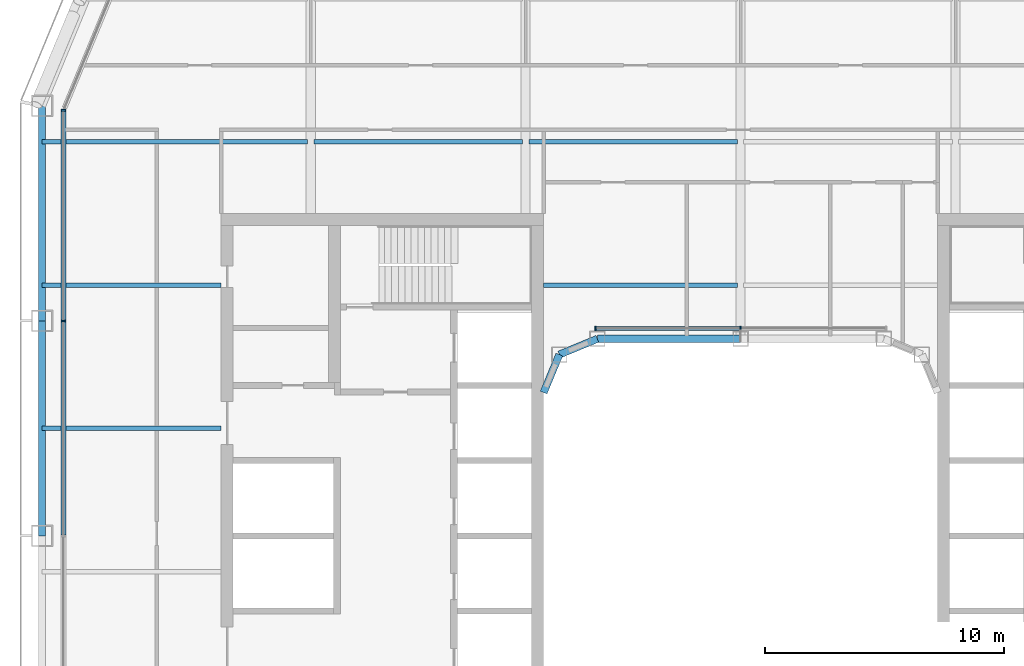
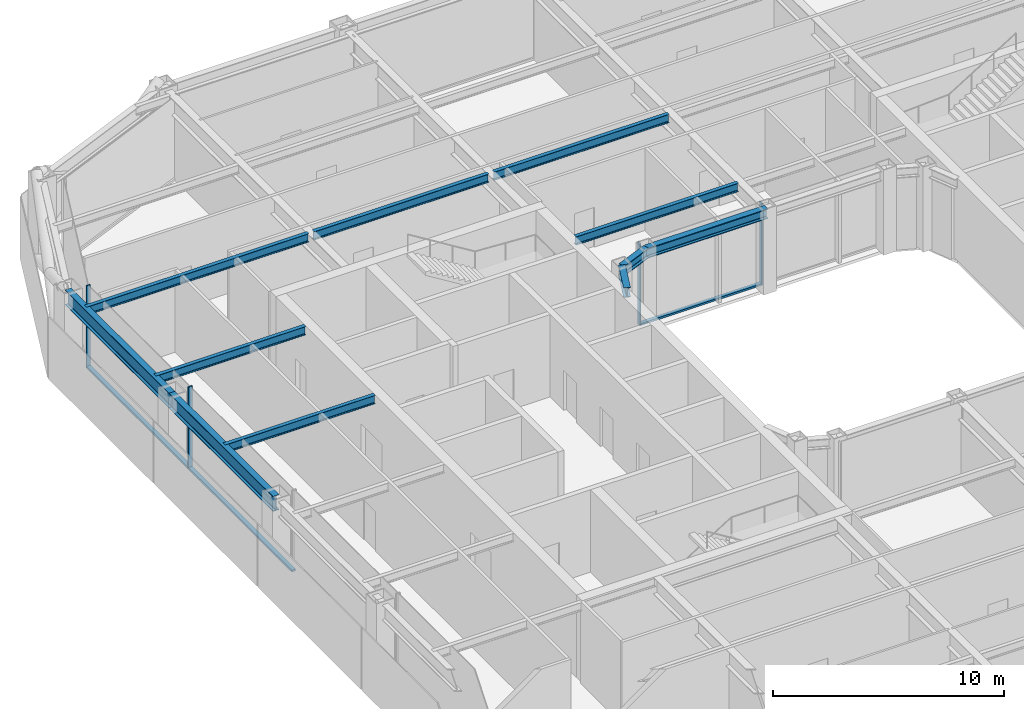
# One storey, part 6 of 23: 11 beams, 7 members, 2 elements without a shape of their own.
"""IFC4 building model written with IfcOpenShell, lengths in metres."""

from ifc_helpers import new_model, si_unit, direction, frame, origin, origin_2d, place, context, subcontext, project, spatial, rectangle, i_section, extrude, material, layer, layer_set, material_profile, profile_set, type_object, element, aggregate, save


model = new_model("IFC4")

# Units and contexts
model_context = context("Model", 3, precision=1e-05, world=origin(), true_north=direction((0.0, 1.0)))
body_context = subcontext(model_context, "Body", "Model", "MODEL_VIEW")
ifc_project = project(units=[si_unit("LENGTHUNIT", "METRE"), si_unit("AREAUNIT", "SQUARE_METRE"), si_unit("VOLUMEUNIT", "CUBIC_METRE"), si_unit("PLANEANGLEUNIT", "RADIAN"), si_unit("MASSUNIT", "GRAM", prefix="KILO")], contexts=[model_context])

# Site, building, storey
site_placement = place(None, origin())
site = spatial("IfcSite", under=ifc_project, at=site_placement, CompositionType="ELEMENT")
building_placement = place(site_placement, origin())
building = spatial("IfcBuilding", under=site, at=building_placement, Name="Siwar Civic Tower", CompositionType="ELEMENT")
storey_placement = place(building_placement, frame((0.0, 0.0, 145.199951171875)))
storey = spatial("IfcBuildingStorey", under=building, at=storey_placement, Name="L31", CompositionType="ELEMENT", Elevation=145.199951171875)

# Curtain wall, members
ifc_material_1 = material(Name="Aluminium and glass", Category="aluminium")
ifc_layer_1 = layer(ifc_material_1, 0.199951171875)
ifc_layer_set_1 = layer_set([ifc_layer_1], Name="Aluminium and glass")
curtain_wall_type_1 = type_object("IfcCurtainWallType", Name="ENV-CW-B", PredefinedType="NOTDEFINED", material=ifc_layer_set_1)
curtain_wall_1_placement = place(storey_placement, origin())
curtain_wall_1 = element("IfcCurtainWall", 1, at=curtain_wall_1_placement, inside=storey, type_object=curtain_wall_type_1, Name="Curtain wall B W", PredefinedType="NOTDEFINED")
ifc_material_2 = material(Name="Aluminium 6063-T6", Category="aluminium")
ifc_material_profile_1 = material_profile(ifc_material_2, rectangle(XDim=0.199951171875, YDim=0.06494140625, at=origin_2d()), Name="AL 200x65")
ifc_profile_set_1 = profile_set([ifc_material_profile_1], Name="Aluminium 6063-T6")
member_type_1 = type_object("IfcMemberType", Name="ENV-MULLION-B", PredefinedType="MULLION", material=ifc_profile_set_1)
member_1_placement = place(storey_placement, frame((-28.35009765625, 17.821044921875, 0.0), z_axis=(0.0, 0.0, 1.0), x_axis=(1.0, 0.0, 0.0)))
member_1 = element("IfcMember", 2, at=member_1_placement, type_object=member_type_1, Name="Mullion B W 1", PredefinedType="MULLION", context=body_context, shape_type="SweptSolid", body=[
    extrude(rectangle(XDim=0.199951171875, YDim=0.06494140625, at=origin_2d()), origin(), (0.0, 0.0, 1.0), 4.35009765625),
])
member_2_placement = place(storey_placement, frame((-28.35009765625, 9.0, 0.0), z_axis=(0.0, 0.0, 1.0), x_axis=(1.0, 0.0, 0.0)))
member_2 = element("IfcMember", 3, at=member_2_placement, type_object=member_type_1, Name="Mullion B W 2", PredefinedType="MULLION", context=body_context, shape_type="SweptSolid", body=[
    extrude(rectangle(XDim=0.199951171875, YDim=0.06494140625, at=origin_2d()), origin(), (0.0, 0.0, 1.0), 4.35009765625),
])

ifc_material_3 = material(Name="Aluminium and glass", Category="aluminium")
ifc_layer_2 = layer(ifc_material_3, 0.179931640625)
ifc_layer_set_2 = layer_set([ifc_layer_2], Name="Aluminium and glass")
curtain_wall_type_2 = type_object("IfcCurtainWallType", Name="ENV-CW-W", PredefinedType="NOTDEFINED", material=ifc_layer_set_2)
curtain_wall_2_placement = place(storey_placement, origin())
curtain_wall_2 = element("IfcCurtainWall", 4, at=curtain_wall_2_placement, inside=storey, type_object=curtain_wall_type_2, Name="Curtain wall W WN", PredefinedType="NOTDEFINED")
ifc_material_4 = material(Name="Aluminium 6063-T6", Category="aluminium")
ifc_material_profile_2 = material_profile(ifc_material_4, rectangle(XDim=0.179931640625, YDim=0.06005859375, at=origin_2d()), Name="AL 180x60")
ifc_profile_set_2 = profile_set([ifc_material_profile_2], Name="Aluminium 6063-T6")
member_type_2 = type_object("IfcMemberType", Name="ENV-MULLION-W", PredefinedType="MULLION", material=ifc_profile_set_2)
member_3_placement = place(storey_placement, frame((0.0, 8.68505859375, 0.0), z_axis=(0.0, 0.0, 1.0), x_axis=(0.0, -1.0, 0.0)))
member_3 = element("IfcMember", 5, at=member_3_placement, type_object=member_type_2, Name="Mullion W WN 2", PredefinedType="MULLION", context=body_context, shape_type="SweptSolid", body=[
    extrude(rectangle(XDim=0.179931640625, YDim=0.06005859375, at=origin_2d()), origin(), (0.0, 0.0, 1.0), 4.35009765625),
])
member_4_placement = place(storey_placement, frame((-6.08642578125, 8.68505859375, 0.0), z_axis=(0.0, 0.0, 1.0), x_axis=(0.0, -1.0, 0.0)))
member_4 = element("IfcMember", 6, at=member_4_placement, type_object=member_type_2, Name="Mullion W WN 3", PredefinedType="MULLION", context=body_context, shape_type="SweptSolid", body=[
    extrude(rectangle(XDim=0.179931640625, YDim=0.06005859375, at=origin_2d()), origin(), (0.0, 0.0, 1.0), 4.35009765625),
])

# Member
ifc_material_5 = material(Name="Aluminium 6063-T6", Category="aluminium")
ifc_material_profile_3 = material_profile(ifc_material_5, rectangle(XDim=0.199951171875, YDim=0.110107421875, at=origin_2d()), Name="AL 200x110")
ifc_profile_set_3 = profile_set([ifc_material_profile_3], Name="Aluminium 6063-T6")
member_type_3 = type_object("IfcMemberType", Name="ENV-TRANSOM-B", PredefinedType="USERDEFINED", material=ifc_profile_set_3)
member_5_placement = place(storey_placement, frame((-28.35009765625, 17.78857421875, 0.054931640625), z_axis=(0.0, -1.0, 0.0), x_axis=(1.0, 0.0, 0.0)))
member_5 = element("IfcMember", 7, at=member_5_placement, type_object=member_type_3, Name="Transom B W 1", ObjectType="TRANSOM", PredefinedType="USERDEFINED", context=body_context, shape_type="SweptSolid", body=[
    extrude(rectangle(XDim=0.199951171875, YDim=0.110107421875, at=origin_2d()), origin(), (0.0, 0.0, 1.0), 8.756103515625),
])

member_6_placement = place(storey_placement, frame((-28.35009765625, 8.967529296875, 0.054931640625), z_axis=(0.0, -1.0, 0.0), x_axis=(1.0, 0.0, 0.0)))
member_6 = element("IfcMember", 8, at=member_6_placement, type_object=member_type_3, Name="Transom B W 2", ObjectType="TRANSOM", PredefinedType="USERDEFINED", context=body_context, shape_type="SweptSolid", body=[
    extrude(rectangle(XDim=0.199951171875, YDim=0.110107421875, at=origin_2d()), origin(), (0.0, 0.0, 1.0), 8.93505859375),
])

aggregate(curtain_wall_1, [member_1, member_2, member_5, member_6])

ifc_material_6 = material(Name="Aluminium 6063-T6", Category="aluminium")
ifc_material_profile_4 = material_profile(ifc_material_6, rectangle(XDim=0.179931640625, YDim=0.10009765625, at=origin_2d()), Name="AL 180x100")
ifc_profile_set_4 = profile_set([ifc_material_profile_4], Name="Aluminium 6063-T6")
member_type_4 = type_object("IfcMemberType", Name="ENV-TRANSOM-W", PredefinedType="USERDEFINED", material=ifc_profile_set_4)
member_7_placement = place(storey_placement, frame((-0.030029296875, 8.68505859375, 0.050048828125), z_axis=(-1.0, 0.0, 0.0), x_axis=(0.0, -1.0, 0.0)))
member_7 = element("IfcMember", 9, at=member_7_placement, type_object=member_type_4, Name="Transom W WN 2", ObjectType="TRANSOM", PredefinedType="USERDEFINED", context=body_context, shape_type="SweptSolid", body=[
    extrude(rectangle(XDim=0.179931640625, YDim=0.10009765625, at=origin_2d()), origin(), (0.0, 0.0, 1.0), 6.026611328125),
])

aggregate(curtain_wall_2, [member_3, member_4, member_7])

# Beams
ifc_material_7 = material(Name="Steel S355", Category="steel")
ifc_material_profile_5 = material_profile(ifc_material_7, i_section(OverallWidth=0.18994140625, OverallDepth=0.449951171875, WebThickness=0.009521484375, FlangeThickness=0.0146484375, FilletRadius=0.02099609375, at=origin_2d()), Name="IPE450")
ifc_profile_set_5 = profile_set([ifc_material_profile_5], Name="Steel S355")
beam_type_1 = type_object("IfcBeamType", Name="STR-FB-IPE450", PredefinedType="JOIST", material=ifc_profile_set_5)
for number, where, z_axis, x_axis, name in (
    (10, (-29.25, 4.5, 4.125), (1.0, 0.0, 0.0), (0.0, 1.0, 0.0), "L31/bm/F025"),
    (11, (-29.25, 10.5, 4.125), (1.0, 0.0, 0.0), (0.0, 1.0, 0.0), "L31/bm/F027"),
):
    element("IfcBeam", number, at=place(storey_placement, frame(where, z_axis=z_axis, x_axis=x_axis)), inside=storey, type_object=beam_type_1, Name=name, PredefinedType="JOIST", context=body_context, shape_type="SweptSolid", body=[
        extrude(i_section(OverallWidth=0.18994140625, OverallDepth=0.449951171875, WebThickness=0.009521484375, FlangeThickness=0.0146484375, FilletRadius=0.02099609375, at=origin_2d()), origin(), (0.0, 0.0, 1.0), 7.5),
    ])
beam_1_placement = place(storey_placement, frame((-8.25, 10.5, 4.125), z_axis=(1.0, 0.0, 0.0), x_axis=(0.0, 1.0, 0.0)))
element("IfcBeam", 12, at=beam_1_placement, inside=storey, type_object=beam_type_1, Name="L31/bm/F028", PredefinedType="JOIST", context=body_context, shape_type="SweptSolid", body=[
    extrude(i_section(OverallWidth=0.18994140625, OverallDepth=0.449951171875, WebThickness=0.009521484375, FlangeThickness=0.0146484375, FilletRadius=0.02099609375, at=origin_2d()), origin(), (0.0, 0.0, 1.0), 8.1201171875),
])
beam_2_placement = place(storey_placement, frame((-29.25, 16.5, 4.125), z_axis=(1.0, 0.0, 0.0), x_axis=(0.0, 1.0, 0.0)))
element("IfcBeam", 13, at=beam_2_placement, inside=storey, type_object=beam_type_1, Name="L31/bm/F031", PredefinedType="JOIST", context=body_context, shape_type="SweptSolid", body=[
    extrude(i_section(OverallWidth=0.18994140625, OverallDepth=0.449951171875, WebThickness=0.009521484375, FlangeThickness=0.0146484375, FilletRadius=0.02099609375, at=origin_2d()), origin(), (0.0, 0.0, 1.0), 11.1201171875),
])
for number, where, z_axis, x_axis, name in (
    (14, (-17.8701171875, 16.5, 4.125), (1.0, 0.0, 0.0), (0.0, 1.0, 0.0), "L31/bm/F032"),
    (15, (-8.8701171875, 16.5, 4.125), (1.0, 0.0, 0.0), (0.0, 1.0, 0.0), "L31/bm/F033"),
):
    element("IfcBeam", number, at=place(storey_placement, frame(where, z_axis=z_axis, x_axis=x_axis)), inside=storey, type_object=beam_type_1, Name=name, PredefinedType="JOIST", context=body_context, shape_type="SweptSolid", body=[
        extrude(i_section(OverallWidth=0.18994140625, OverallDepth=0.449951171875, WebThickness=0.009521484375, FlangeThickness=0.0146484375, FilletRadius=0.02099609375, at=origin_2d()), origin(), (0.0, 0.0, 1.0), 8.740234375),
    ])
ifc_material_8 = material(Name="Steel S355", Category="steel")
ifc_material_profile_6 = material_profile(ifc_material_8, i_section(OverallWidth=0.305908203125, OverallDepth=0.52392578125, WebThickness=0.02099609375, FlangeThickness=0.0400390625, FilletRadius=0.027099609375, at=origin_2d()), Name="HEM500")
ifc_profile_set_6 = profile_set([ifc_material_profile_6], Name="Steel S355")
beam_type_2 = type_object("IfcBeamType", Name="STR-RB-HEM500", PredefinedType="BEAM", material=ifc_profile_set_6)
beam_3_placement = place(storey_placement, frame((-7.591064453125, 7.591064453125, 4.088134765625), z_axis=(0.923901072997, 0.382631424892, 0.0), x_axis=(-0.382631424892, 0.923901072997, 0.0)))
element("IfcBeam", 16, at=beam_3_placement, inside=storey, type_object=beam_type_2, Name="L31/bm/RN0", PredefinedType="BEAM", context=body_context, shape_type="SweptSolid", body=[
    extrude(i_section(OverallWidth=0.305908203125, OverallDepth=0.52392578125, WebThickness=0.02099609375, FlangeThickness=0.0400390625, FilletRadius=0.027099609375, at=origin_2d()), origin(), (0.0, 0.0, 1.0), 1.72216796875),
])
beam_4_placement = place(storey_placement, frame((-6.0, 8.25, 4.088134765625), z_axis=(1.0, 0.0, 0.0), x_axis=(0.0, 1.0, 0.0)))
element("IfcBeam", 17, at=beam_4_placement, inside=storey, type_object=beam_type_2, Name="L31/bm/RN1", PredefinedType="BEAM", context=body_context, shape_type="SweptSolid", body=[
    extrude(i_section(OverallWidth=0.305908203125, OverallDepth=0.52392578125, WebThickness=0.02099609375, FlangeThickness=0.0400390625, FilletRadius=0.027099609375, at=origin_2d()), origin(), (0.0, 0.0, 1.0), 6.0),
])
beam_5_placement = place(storey_placement, frame((-7.591064453125, 7.591064453125, 4.088134765625), z_axis=(-0.382631424892, -0.923901072997, 0.0), x_axis=(0.923901072997, -0.382631424892, 0.0)))
element("IfcBeam", 18, at=beam_5_placement, inside=storey, type_object=beam_type_2, Name="L31/bm/RNEW", PredefinedType="BEAM", context=body_context, shape_type="SweptSolid", body=[
    extrude(i_section(OverallWidth=0.305908203125, OverallDepth=0.52392578125, WebThickness=0.02099609375, FlangeThickness=0.0400390625, FilletRadius=0.027099609375, at=origin_2d()), origin(), (0.0, 0.0, 1.0), 1.72216796875),
])
ifc_material_9 = material(Name="Steel S355", Category="steel")
ifc_material_profile_7 = material_profile(ifc_material_9, i_section(OverallWidth=0.300048828125, OverallDepth=0.800048828125, WebThickness=0.017578125, FlangeThickness=0.032958984375, FilletRadius=0.030029296875, at=origin_2d()), Name="HEB800")
ifc_profile_set_7 = profile_set([ifc_material_profile_7], Name="Steel S355")
beam_type_3 = type_object("IfcBeamType", Name="STR-SB-HEB800", PredefinedType="BEAM", material=ifc_profile_set_7)
for number, where, z_axis, x_axis, name in (
    (19, (-29.25, 18.0, 3.949951171875), (0.0, -1.0, 0.0), (1.0, 0.0, 0.0), "L31/bm/SW-0"),
    (20, (-29.25, 9.0, 3.949951171875), (0.0, -1.0, 0.0), (1.0, 0.0, 0.0), "L31/bm/SW-1"),
):
    element("IfcBeam", number, at=place(storey_placement, frame(where, z_axis=z_axis, x_axis=x_axis)), inside=storey, type_object=beam_type_3, Name=name, PredefinedType="BEAM", context=body_context, shape_type="SweptSolid", body=[
        extrude(i_section(OverallWidth=0.300048828125, OverallDepth=0.800048828125, WebThickness=0.017578125, FlangeThickness=0.032958984375, FilletRadius=0.030029296875, at=origin_2d()), origin(), (0.0, 0.0, 1.0), 9.0),
    ])

save(model, "model.ifc")
